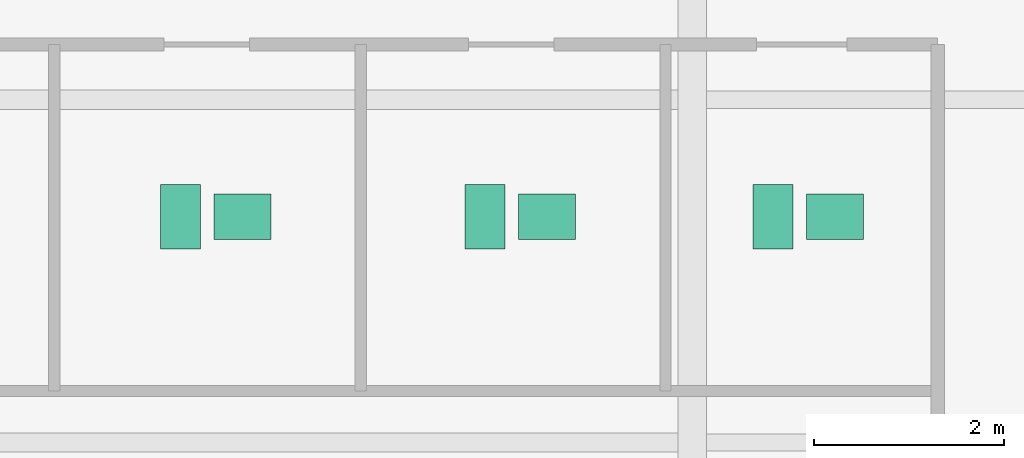
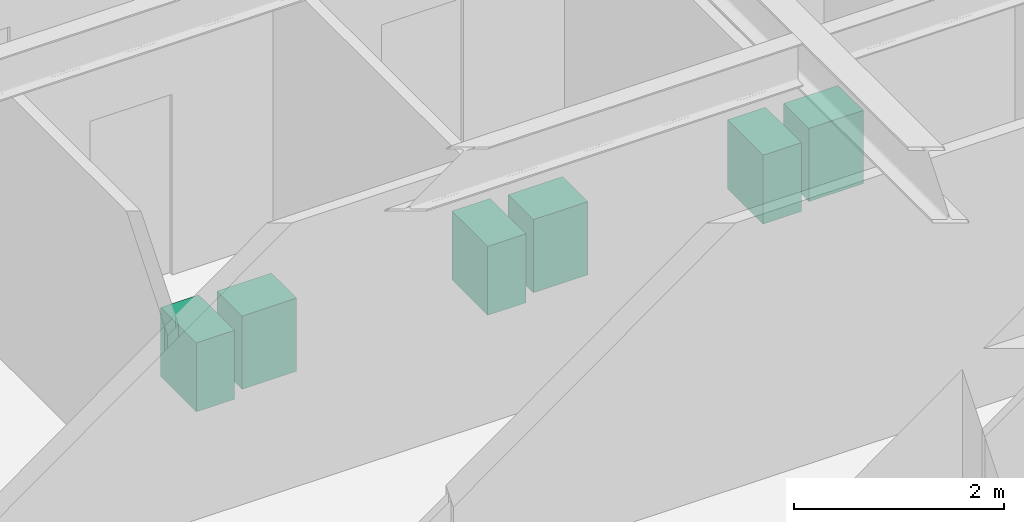
# One storey, part 26 of 26: 6 sanitary terminals.
"""IFC4 building model written with IfcOpenShell, lengths in metres."""

from ifc_helpers import new_model, si_unit, direction, frame, origin, origin_2d, place, context, subcontext, project, spatial, rectangle, extrude, source, transform, mapped, material, type_object, type_shapes, element, save


model = new_model("IFC4")

# Units and contexts
model_context = context("Model", 3, precision=1e-05, world=origin(), true_north=direction((0.0, 1.0)))
body_context = subcontext(model_context, "Body", "Model", "MODEL_VIEW")
ifc_project = project(units=[si_unit("LENGTHUNIT", "METRE"), si_unit("AREAUNIT", "SQUARE_METRE"), si_unit("VOLUMEUNIT", "CUBIC_METRE"), si_unit("PLANEANGLEUNIT", "RADIAN"), si_unit("MASSUNIT", "GRAM", prefix="KILO")], contexts=[model_context])

# Site, building, storey
site_placement = place(None, origin())
site = spatial("IfcSite", under=ifc_project, at=site_placement, CompositionType="ELEMENT")
building_placement = place(site_placement, origin())
building = spatial("IfcBuilding", under=site, at=building_placement, Name="Krantzveldt Concourse Tower", CompositionType="ELEMENT")
storey_placement = place(building_placement, frame((0.0, 0.0, 90.050048828125)))
storey = spatial("IfcBuildingStorey", under=building, at=storey_placement, Name="L21", CompositionType="ELEMENT", Elevation=90.050048828125)

# Sanitary terminals
ifc_material = material(Name="Vitreous china", Category="ceramic")
sanitary_terminal_type_1 = type_object("IfcSanitaryTerminalType", Name="SAN-WC-SUITE", PredefinedType="TOILETPAN", material=ifc_material)
shared_shape_1 = source(origin(), body_context, "Body", "SweptSolid", [
    extrude(rectangle(XDim=0.419921875, YDim=0.679931640625, at=origin_2d()), origin(), (0.0, 0.0, 1.0), 0.800048828125),
])
type_shapes(sanitary_terminal_type_1, [shared_shape_1])
for number, where, z_axis, x_axis, name in (
    (1, (36.02490234375, 32.570068359375, 0.0), (0.0, 0.0, 1.0), (1.0, 0.0, 0.0), "WC-SP-L21-WCM"),
    (2, (39.22509765625, 32.570068359375, 0.0), (0.0, 0.0, 1.0), (1.0, 0.0, 0.0), "WC-SP-L21-WCF"),
    (3, (42.25, 32.570068359375, 0.0), (0.0, 0.0, 1.0), (1.0, 0.0, 0.0), "WC-SP-L21-WCA"),
):
    element("IfcSanitaryTerminal", number, at=place(storey_placement, frame(where, z_axis=z_axis, x_axis=x_axis)), inside=storey, type_object=sanitary_terminal_type_1, Name=name, PredefinedType="TOILETPAN", context=body_context, shape_type="MappedRepresentation", body=[
        mapped(shared_shape_1, transform((0.0, 0.0, 0.0), x_axis=(1.0, 0.0, 0.0), y_axis=(0.0, 1.0, 0.0), z_axis=(0.0, 0.0, 1.0), scale=1.0)),
    ])
sanitary_terminal_type_2 = type_object("IfcSanitaryTerminalType", Name="SAN-BASIN-600", PredefinedType="WASHHANDBASIN", material=ifc_material)
shared_shape_2 = source(origin(), body_context, "Body", "SweptSolid", [
    extrude(rectangle(XDim=0.60009765625, YDim=0.47998046875, at=origin_2d()), origin(), (0.0, 0.0, 1.0), 0.85009765625),
])
type_shapes(sanitary_terminal_type_2, [shared_shape_2])
for number, where, z_axis, x_axis, name in (
    (4, (36.675048828125, 32.570068359375, 0.0048828125), (0.0, 0.0, 1.0), (1.0, 0.0, 0.0), "BSN-SP-L21-WCM"),
    (5, (39.875, 32.570068359375, 0.0048828125), (0.0, 0.0, 1.0), (1.0, 0.0, 0.0), "BSN-SP-L21-WCF"),
    (6, (42.89990234375, 32.570068359375, 0.0048828125), (0.0, 0.0, 1.0), (1.0, 0.0, 0.0), "BSN-SP-L21-WCA"),
):
    element("IfcSanitaryTerminal", number, at=place(storey_placement, frame(where, z_axis=z_axis, x_axis=x_axis)), inside=storey, type_object=sanitary_terminal_type_2, Name=name, PredefinedType="WASHHANDBASIN", context=body_context, shape_type="MappedRepresentation", body=[
        mapped(shared_shape_2, transform((0.0, 0.0, 0.0), x_axis=(1.0, 0.0, 0.0), y_axis=(0.0, 1.0, 0.0), z_axis=(0.0, 0.0, 1.0), scale=1.0)),
    ])

save(model, "model.ifc")
